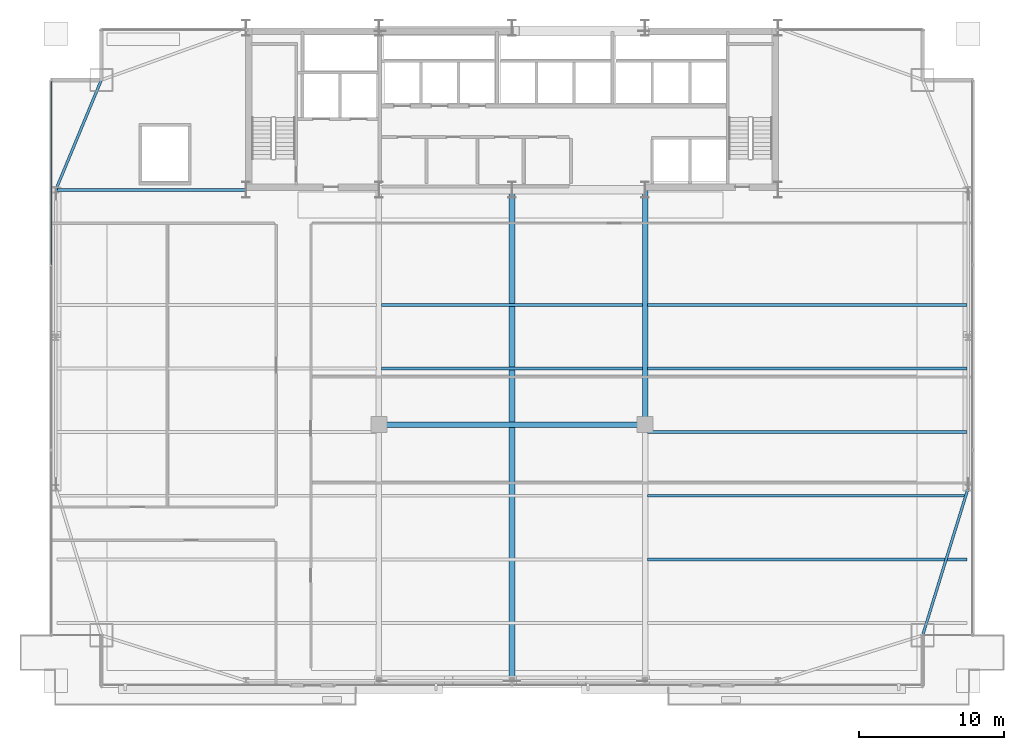
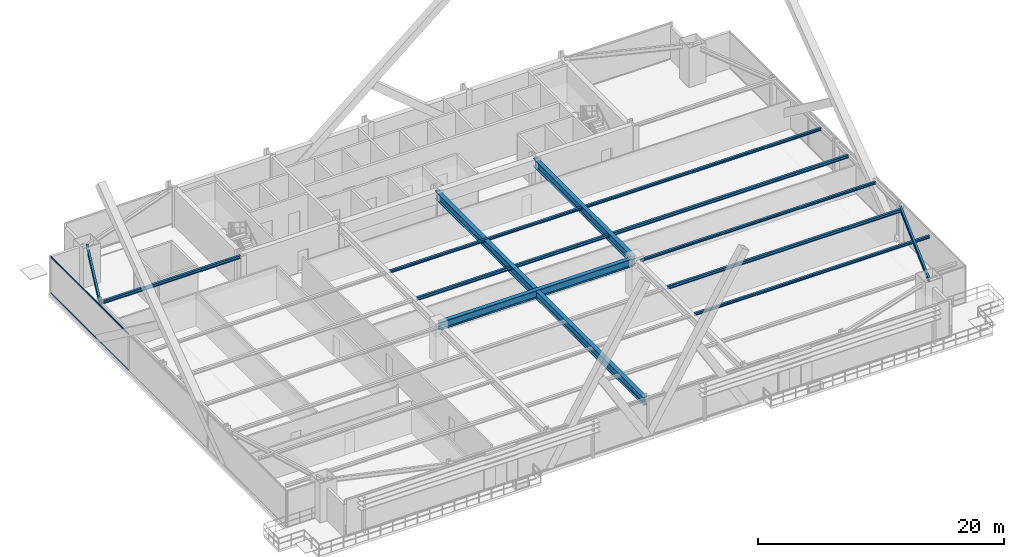
# One storey, part 18 of 34: 13 beams, 2 members, 1 element without a shape of its own.
"""IFC4 building model written with IfcOpenShell, lengths in metres."""

from ifc_helpers import new_model, si_unit, direction, frame, origin, origin_2d, place, context, subcontext, project, spatial, hollow_rectangle, i_section, extrude, source, transform, mapped, material, layer, layer_set, material_profile, profile_set, type_object, type_shapes, element, aggregate, save


model = new_model("IFC4")

# Units and contexts
model_context = context("Model", 3, precision=1e-05, world=origin(), true_north=direction((0.0, 1.0)))
body_context = subcontext(model_context, "Body", "Model", "MODEL_VIEW")
ifc_project = project(units=[si_unit("LENGTHUNIT", "METRE"), si_unit("AREAUNIT", "SQUARE_METRE"), si_unit("VOLUMEUNIT", "CUBIC_METRE"), si_unit("PLANEANGLEUNIT", "RADIAN"), si_unit("MASSUNIT", "GRAM", prefix="KILO")], contexts=[model_context])

# Site, building, storey
site_placement = place(None, origin())
site = spatial("IfcSite", under=ifc_project, at=site_placement, CompositionType="ELEMENT")
building_placement = place(site_placement, origin())
building = spatial("IfcBuilding", under=site, at=building_placement, Name="Varnel Quay Broadcast Tower", CompositionType="ELEMENT")
storey_placement = place(building_placement, frame((0.0, 0.0, 27.60009765625)))
storey = spatial("IfcBuildingStorey", under=building, at=storey_placement, Name="L05", CompositionType="ELEMENT", Elevation=27.60009765625)

# Beams
ifc_material_1 = material(Name="Structural Steel CSA G40.21 350W", Category="steel")
ifc_material_profile_1 = material_profile(ifc_material_1, i_section(OverallWidth=0.180908203125, OverallDepth=0.4169921875, WebThickness=0.010986328125, FlangeThickness=0.018310546875, FilletRadius=0.011962890625, at=origin_2d()), Name="W410X85")
ifc_profile_set_1 = profile_set([ifc_material_profile_1], Name="Structural Steel CSA G40.21 350W")
beam_type_1 = type_object("IfcBeamType", Name="Beam_W410X85", PredefinedType="SPANDREL", material=ifc_profile_set_1)
shared_shape_1 = source(origin(), body_context, "Body", "SweptSolid", [
    extrude(i_section(OverallWidth=0.180908203125, OverallDepth=0.4169921875, WebThickness=0.010986328125, FlangeThickness=0.018310546875, FilletRadius=0.011962890625, at=origin_2d()), origin(), (0.0, 0.0, 1.0), 10.635498046875),
])
beam_1_placement = place(storey_placement, frame((62.406005859375, 4.819091796875, 3.44140625), z_axis=(0.295069676324, 0.955475738108, 0.0), x_axis=(-0.955475738108, 0.295069676324, 0.0)))
element("IfcBeam", 1, at=beam_1_placement, inside=storey, type_object=beam_type_1, Name="L05 East Spandrel MC-SE-TC-E1", PredefinedType="SPANDREL", context=body_context, shape_type="MappedRepresentation", body=[
    mapped(shared_shape_1, transform((0.0, 0.0, 0.0), x_axis=(1.0, 0.0, 0.0), y_axis=(0.0, 1.0, 0.0), z_axis=(0.0, 0.0, 1.0), scale=1.0)),
])
shared_shape_2 = source(origin(), body_context, "Body", "SweptSolid", [
    extrude(i_section(OverallWidth=0.180908203125, OverallDepth=0.4169921875, WebThickness=0.010986328125, FlangeThickness=0.018310546875, FilletRadius=0.011962890625, at=origin_2d()), origin(), (0.0, 0.0, 1.0), 8.186767578125),
])
type_shapes(beam_type_1, [shared_shape_1, shared_shape_2])
beam_2_placement = place(storey_placement, frame((2.457763671875, 35.618408203125, 3.44140625), z_axis=(0.382874132092, 0.923800519038, 0.0), x_axis=(-0.923800519038, 0.382874132092, 0.0)))
element("IfcBeam", 2, at=beam_2_placement, inside=storey, type_object=beam_type_1, Name="L05 West Spandrel TC-W3-MC-NW", PredefinedType="SPANDREL", context=body_context, shape_type="MappedRepresentation", body=[
    mapped(shared_shape_2, transform((0.0, 0.0, 0.0), x_axis=(1.0, 0.0, 0.0), y_axis=(0.0, 1.0, 0.0), z_axis=(0.0, 0.0, 1.0), scale=1.0)),
])
ifc_material_profile_2 = material_profile(ifc_material_1, i_section(OverallWidth=0.381103515625, OverallDepth=0.77294921875, WebThickness=0.0166015625, FlangeThickness=0.027587890625, FilletRadius=0.01806640625, at=origin_2d()), Name="W760X257")
ifc_profile_set_2 = profile_set([ifc_material_profile_2], Name="Structural Steel CSA G40.21 350W")
beam_type_2 = type_object("IfcBeamType", Name="Girder_W760X257", PredefinedType="BEAM", material=ifc_profile_set_2)
shared_shape_3 = source(origin(), body_context, "Body", "SweptSolid", [
    extrude(i_section(OverallWidth=0.381103515625, OverallDepth=0.77294921875, WebThickness=0.0166015625, FlangeThickness=0.027587890625, FilletRadius=0.01806640625, at=origin_2d()), origin(), (0.0, 0.0, 1.0), 16.190185546875),
])
beam_3_placement = place(storey_placement, frame((43.199951171875, 19.389892578125, 3.263427734375), z_axis=(0.0, 1.0, 0.0), x_axis=(-1.0, 0.0, 0.0)))
element("IfcBeam", 3, at=beam_3_placement, inside=storey, type_object=beam_type_2, Name="L05 Primary Girder IC-02-CC-S4", PredefinedType="BEAM", context=body_context, shape_type="MappedRepresentation", body=[
    mapped(shared_shape_3, transform((0.0, 0.0, 0.0), x_axis=(1.0, 0.0, 0.0), y_axis=(0.0, 1.0, 0.0), z_axis=(0.0, 0.0, 1.0), scale=1.0)),
])
shared_shape_4 = source(origin(), body_context, "Body", "SweptSolid", [
    extrude(i_section(OverallWidth=0.381103515625, OverallDepth=0.77294921875, WebThickness=0.0166015625, FlangeThickness=0.027587890625, FilletRadius=0.01806640625, at=origin_2d()), origin(), (0.0, 0.0, 1.0), 18.35986328125),
])
beam_4_placement = place(storey_placement, frame((24.820068359375, 19.3701171875, 3.263427734375), z_axis=(1.0, 0.0, 0.0), x_axis=(0.0, 1.0, 0.0)))
element("IfcBeam", 4, at=beam_4_placement, inside=storey, type_object=beam_type_2, Name="L05 Interior Spine Girder", PredefinedType="BEAM", context=body_context, shape_type="MappedRepresentation", body=[
    mapped(shared_shape_4, transform((0.0, 0.0, 0.0), x_axis=(1.0, 0.0, 0.0), y_axis=(0.0, 1.0, 0.0), z_axis=(0.0, 0.0, 1.0), scale=1.0)),
])
shared_shape_5 = source(origin(), body_context, "Body", "SweptSolid", [
    extrude(i_section(OverallWidth=0.381103515625, OverallDepth=0.77294921875, WebThickness=0.0166015625, FlangeThickness=0.027587890625, FilletRadius=0.01806640625, at=origin_2d()), origin(), (0.0, 0.0, 1.0), 33.91015625),
])
type_shapes(beam_type_2, [shared_shape_3, shared_shape_4, shared_shape_5])
beam_5_placement = place(storey_placement, frame((34.0, 1.669921875, 3.263427734375), z_axis=(0.0, 1.0, 0.0), x_axis=(-1.0, 0.0, 0.0)))
element("IfcBeam", 5, at=beam_5_placement, inside=storey, type_object=beam_type_2, Name="L05 Central Bay Girder", PredefinedType="BEAM", context=body_context, shape_type="MappedRepresentation", body=[
    mapped(shared_shape_5, transform((0.0, 0.0, 0.0), x_axis=(1.0, 0.0, 0.0), y_axis=(0.0, 1.0, 0.0), z_axis=(0.0, 0.0, 1.0), scale=1.0)),
])
ifc_material_profile_3 = material_profile(ifc_material_1, i_section(OverallWidth=0.202880859375, OverallDepth=0.302978515625, WebThickness=0.007568359375, FlangeThickness=0.01318359375, FilletRadius=0.011962890625, at=origin_2d()), Name="W310X60")
ifc_profile_set_3 = profile_set([ifc_material_profile_3], Name="Structural Steel CSA G40.21 350W")
beam_type_3 = type_object("IfcBeamType", Name="Beam_W310X60", PredefinedType="JOIST", material=ifc_profile_set_3)
shared_shape_6 = source(origin(), body_context, "Body", "SweptSolid", [
    extrude(i_section(OverallWidth=0.202880859375, OverallDepth=0.302978515625, WebThickness=0.007568359375, FlangeThickness=0.01318359375, FilletRadius=0.011962890625, at=origin_2d()), origin(), (0.0, 0.0, 1.0), 13.110107421875),
])
beam_6_placement = place(storey_placement, frame((2.469970703125, 35.60009765625, 3.498291015625), z_axis=(1.0, 0.0, 0.0), x_axis=(0.0, 1.0, 0.0)))
element("IfcBeam", 6, at=beam_6_placement, inside=storey, type_object=beam_type_3, Name="L05 West Core Tie Joist", PredefinedType="JOIST", context=body_context, shape_type="MappedRepresentation", body=[
    mapped(shared_shape_6, transform((0.0, 0.0, 0.0), x_axis=(1.0, 0.0, 0.0), y_axis=(0.0, 1.0, 0.0), z_axis=(0.0, 0.0, 1.0), scale=1.0)),
])
shared_shape_7 = source(origin(), body_context, "Body", "SweptSolid", [
    extrude(i_section(OverallWidth=0.202880859375, OverallDepth=0.302978515625, WebThickness=0.007568359375, FlangeThickness=0.01318359375, FilletRadius=0.011962890625, at=origin_2d()), origin(), (0.0, 0.0, 1.0), 22.0791015625),
])
for number, where, z_axis, x_axis, name in (
    (7, (43.385498046875, 14.449951171875, 3.498291015625), (1.0, 0.0, 0.0), (0.0, 1.0, 0.0), "L05 East Floor Joist 3"),
    (8, (43.385498046875, 23.25, 3.498291015625), (1.0, 0.0, 0.0), (0.0, 1.0, 0.0), "L05 East Floor Joist 5"),
):
    element("IfcBeam", number, at=place(storey_placement, frame(where, z_axis=z_axis, x_axis=x_axis)), inside=storey, type_object=beam_type_3, Name=name, PredefinedType="JOIST", context=body_context, shape_type="MappedRepresentation", body=[
        mapped(shared_shape_7, transform((0.0, 0.0, 0.0), x_axis=(1.0, 0.0, 0.0), y_axis=(0.0, 1.0, 0.0), z_axis=(0.0, 0.0, 1.0), scale=1.0)),
    ])
shared_shape_8 = source(origin(), body_context, "Body", "SweptSolid", [
    extrude(i_section(OverallWidth=0.202880859375, OverallDepth=0.302978515625, WebThickness=0.007568359375, FlangeThickness=0.01318359375, FilletRadius=0.011962890625, at=origin_2d()), origin(), (0.0, 0.0, 1.0), 18.02880859375),
])
type_shapes(beam_type_3, [shared_shape_6, shared_shape_7, shared_shape_8])
beam_7_placement = place(storey_placement, frame((24.985595703125, 23.25, 3.498291015625), z_axis=(1.0, 0.0, 0.0), x_axis=(0.0, 1.0, 0.0)))
element("IfcBeam", 9, at=beam_7_placement, inside=storey, type_object=beam_type_3, Name="L05 Central Floor Joist 5", PredefinedType="JOIST", context=body_context, shape_type="MappedRepresentation", body=[
    mapped(shared_shape_8, transform((0.0, 0.0, 0.0), x_axis=(1.0, 0.0, 0.0), y_axis=(0.0, 1.0, 0.0), z_axis=(0.0, 0.0, 1.0), scale=1.0)),
])
ifc_material_profile_4 = material_profile(ifc_material_1, i_section(OverallWidth=0.201904296875, OverallDepth=0.2470703125, WebThickness=0.00732421875, FlangeThickness=0.010986328125, FilletRadius=0.010986328125, at=origin_2d()), Name="W250X49")
ifc_profile_set_4 = profile_set([ifc_material_profile_4], Name="Structural Steel CSA G40.21 350W")
beam_type_4 = type_object("IfcBeamType", Name="Beam_W250X49", PredefinedType="JOIST", material=ifc_profile_set_4)
shared_shape_9 = source(origin(), body_context, "Body", "SweptSolid", [
    extrude(i_section(OverallWidth=0.201904296875, OverallDepth=0.2470703125, WebThickness=0.00732421875, FlangeThickness=0.010986328125, FilletRadius=0.010986328125, at=origin_2d()), origin(), (0.0, 0.0, 1.0), 22.0791015625),
])
for number, where, z_axis, x_axis, name in (
    (10, (43.385498046875, 10.050048828125, 3.5263671875), (1.0, 0.0, 0.0), (0.0, 1.0, 0.0), "L05 East Floor Joist 2"),
    (11, (43.385498046875, 18.85009765625, 3.5263671875), (1.0, 0.0, 0.0), (0.0, 1.0, 0.0), "L05 East Floor Joist 4"),
    (12, (43.385498046875, 27.64990234375, 3.5263671875), (1.0, 0.0, 0.0), (0.0, 1.0, 0.0), "L05 East Floor Joist 6"),
):
    element("IfcBeam", number, at=place(storey_placement, frame(where, z_axis=z_axis, x_axis=x_axis)), inside=storey, type_object=beam_type_4, Name=name, PredefinedType="JOIST", context=body_context, shape_type="MappedRepresentation", body=[
        mapped(shared_shape_9, transform((0.0, 0.0, 0.0), x_axis=(1.0, 0.0, 0.0), y_axis=(0.0, 1.0, 0.0), z_axis=(0.0, 0.0, 1.0), scale=1.0)),
    ])
shared_shape_10 = source(origin(), body_context, "Body", "SweptSolid", [
    extrude(i_section(OverallWidth=0.201904296875, OverallDepth=0.2470703125, WebThickness=0.00732421875, FlangeThickness=0.010986328125, FilletRadius=0.010986328125, at=origin_2d()), origin(), (0.0, 0.0, 1.0), 18.02880859375),
])
type_shapes(beam_type_4, [shared_shape_9, shared_shape_10])
beam_8_placement = place(storey_placement, frame((24.985595703125, 27.64990234375, 3.5263671875), z_axis=(1.0, 0.0, 0.0), x_axis=(0.0, 1.0, 0.0)))
element("IfcBeam", 13, at=beam_8_placement, inside=storey, type_object=beam_type_4, Name="L05 Central Floor Joist 6", PredefinedType="JOIST", context=body_context, shape_type="MappedRepresentation", body=[
    mapped(shared_shape_10, transform((0.0, 0.0, 0.0), x_axis=(1.0, 0.0, 0.0), y_axis=(0.0, 1.0, 0.0), z_axis=(0.0, 0.0, 1.0), scale=1.0)),
])

# Curtain wall, members
ifc_material_2 = material(Name="Anodised Bronze Aluminium 6063-T6", Category="aluminium")
ifc_layer = layer(ifc_material_2, 0.18994140625, Name="Anodised Bronze Aluminium 6063-T6")
ifc_layer_set = layer_set([ifc_layer], Name="Anodised Bronze Aluminium 6063-T6")
curtain_wall_type = type_object("IfcCurtainWallType", Name="CW_LowerTower", PredefinedType="NOTDEFINED", material=ifc_layer_set)
curtain_wall_placement = place(storey_placement, origin())
curtain_wall = element("IfcCurtainWall", 14, at=curtain_wall_placement, inside=storey, type_object=curtain_wall_type, Name="L05 West Unitised Curtain Wall", PredefinedType="NOTDEFINED")
ifc_material_profile_5 = material_profile(ifc_material_2, hollow_rectangle(XDim=0.06005859375, YDim=0.14501953125, WallThickness=0.00341796875, at=origin_2d()), Name="ALU60X145X3.5")
ifc_profile_set_5 = profile_set([ifc_material_profile_5], Name="Anodised Bronze Aluminium 6063-T6")
member_type = type_object("IfcMemberType", Name="Tran_CWS-02", PredefinedType="USERDEFINED", material=ifc_profile_set_5)
shared_shape_11 = source(origin(), body_context, "Body", "SweptSolid", [
    extrude(hollow_rectangle(XDim=0.06005859375, YDim=0.14501953125, WallThickness=0.00341796875, at=origin_2d()), origin(), (0.0, 0.0, 1.0), 12.69482421875),
])
type_shapes(member_type, [shared_shape_11])
member_1_placement = place(storey_placement, frame((2.14990234375, 30.43505859375, 0.02978515625), z_axis=(0.0, 1.0, 0.0), x_axis=(-1.0, 0.0, 0.0)))
member_1 = element("IfcMember", 15, at=member_1_placement, type_object=member_type, Name="CWS-02 transom 3.1", ObjectType="TRANSOM", PredefinedType="USERDEFINED", context=body_context, shape_type="MappedRepresentation", body=[
    mapped(shared_shape_11, transform((0.0, 0.0, 0.0), x_axis=(1.0, 0.0, 0.0), y_axis=(0.0, 1.0, 0.0), z_axis=(0.0, 0.0, 1.0), scale=1.0)),
])
member_2_placement = place(storey_placement, frame((2.14990234375, 30.43505859375, 3.619873046875), z_axis=(0.0, 1.0, 0.0), x_axis=(-1.0, 0.0, 0.0)))
member_2 = element("IfcMember", 16, at=member_2_placement, type_object=member_type, Name="CWS-02 transom 3.2", ObjectType="TRANSOM", PredefinedType="USERDEFINED", context=body_context, shape_type="MappedRepresentation", body=[
    mapped(shared_shape_11, transform((0.0, 0.0, 0.0), x_axis=(1.0, 0.0, 0.0), y_axis=(0.0, 1.0, 0.0), z_axis=(0.0, 0.0, 1.0), scale=1.0)),
])
aggregate(curtain_wall, [member_1, member_2])

save(model, "model.ifc")
